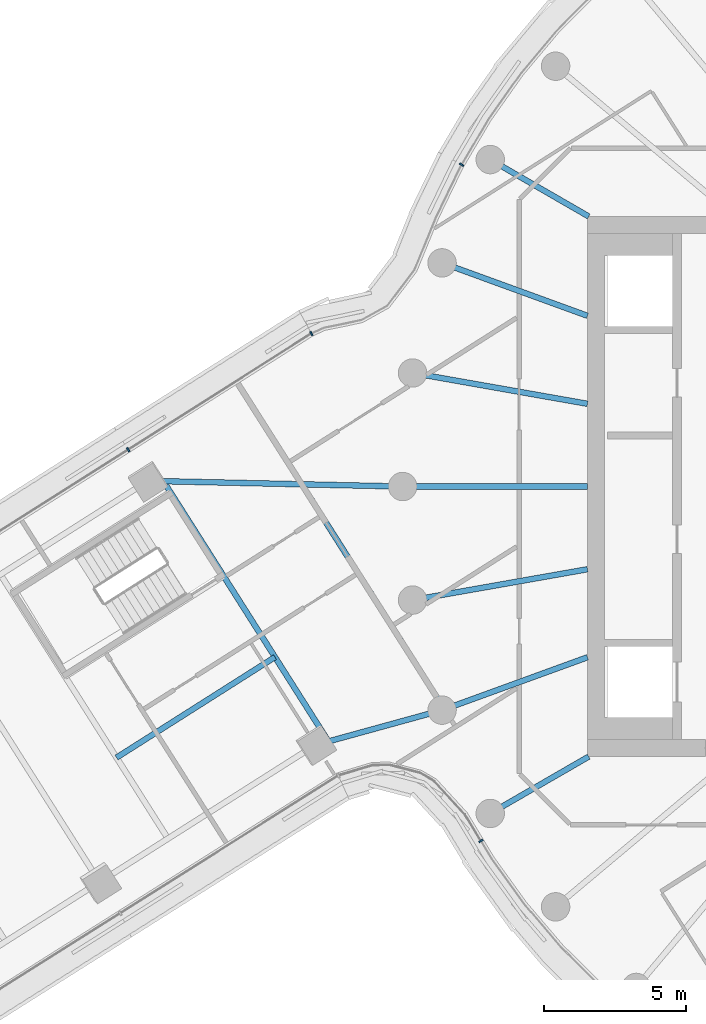
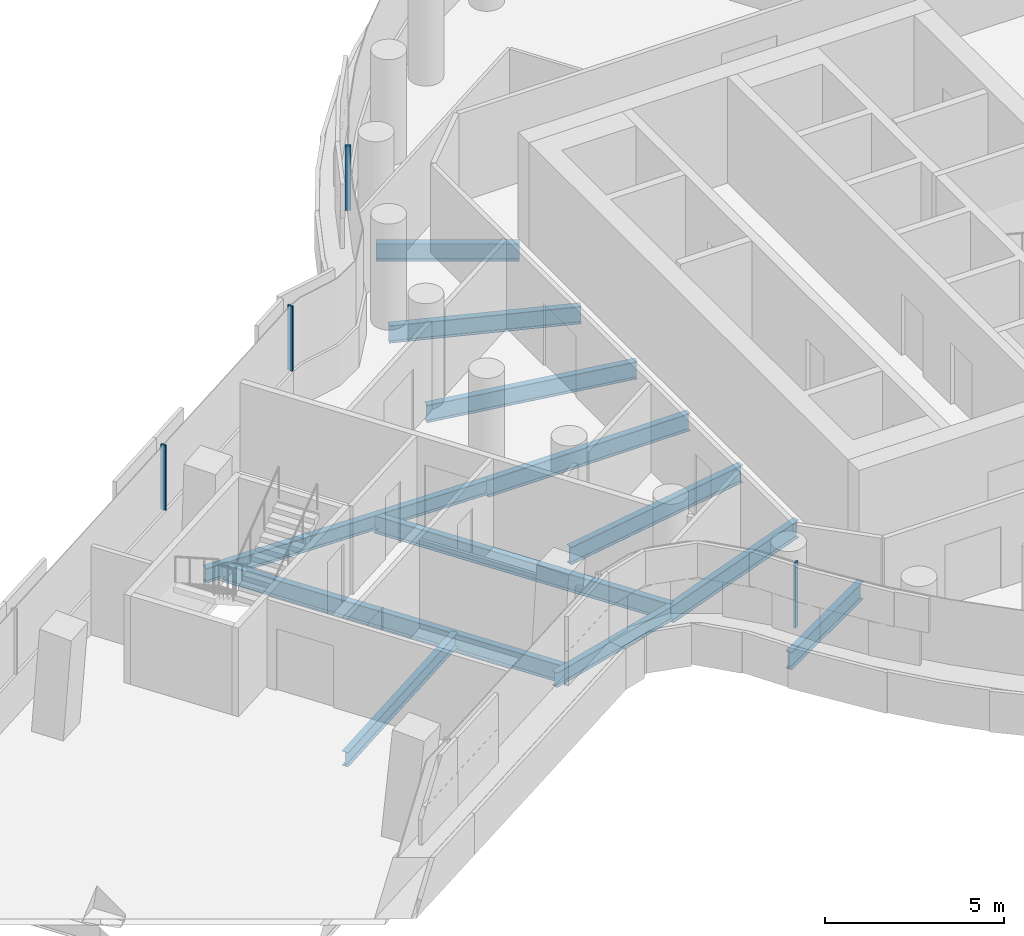
# One storey, part 9 of 36: 12 beams, 4 members, 3 elements without a shape of their own.
"""IFC4 building model written with IfcOpenShell, lengths in metres."""

from ifc_helpers import new_model, si_unit, direction, frame, origin, origin_2d, place, context, subcontext, project, spatial, rectangle, i_section, extrude, material, layer, layer_set, material_profile, profile_set, type_object, element, aggregate, save


model = new_model("IFC4")

# Units and contexts
model_context = context("Model", 3, precision=1e-05, world=origin(), true_north=direction((0.0, 1.0)))
body_context = subcontext(model_context, "Body", "Model", "MODEL_VIEW")
ifc_project = project(units=[si_unit("LENGTHUNIT", "METRE"), si_unit("AREAUNIT", "SQUARE_METRE"), si_unit("VOLUMEUNIT", "CUBIC_METRE"), si_unit("PLANEANGLEUNIT", "RADIAN"), si_unit("MASSUNIT", "GRAM", prefix="KILO")], contexts=[model_context])

# Site, building, storey
site_placement = place(None, origin())
site = spatial("IfcSite", under=ifc_project, at=site_placement, CompositionType="ELEMENT")
building_placement = place(site_placement, origin())
building = spatial("IfcBuilding", under=site, at=building_placement, Name="Tamarind Cross Interchange Tower", CompositionType="ELEMENT")
storey_placement = place(building_placement, frame((0.0, 0.0, 151.75)))
storey = spatial("IfcBuildingStorey", under=building, at=storey_placement, Name="L37", CompositionType="ELEMENT", Elevation=151.75)

# Beams
ifc_material_1 = material(Name="Steel Q355B", Category="steel")
ifc_material_profile_1 = material_profile(ifc_material_1, i_section(OverallWidth=0.198974609375, OverallDepth=0.49609375, WebThickness=0.009033203125, FlangeThickness=0.013916015625, FilletRadius=0.012939453125, at=origin_2d()), Name="HN 496x199x9x14")
ifc_profile_set_1 = profile_set([ifc_material_profile_1], Name="Steel Q355B")
beam_type_1 = type_object("IfcBeamType", Name="Composite beam HN 496x199x9x14 Q355B", PredefinedType="BEAM", material=ifc_profile_set_1)
beam_1_placement = place(storey_placement, frame((-31.954833984375, 0.198486328125, -0.387939453125), z_axis=(0.999754440844, -0.022159828796, 0.0), x_axis=(0.022159828796, 0.999754440844, 0.0)))
element("IfcBeam", 1, at=beam_1_placement, inside=storey, type_object=beam_type_1, Name="Beam W-linkem", PredefinedType="BEAM", context=body_context, shape_type="SweptSolid", body=[
    extrude(i_section(OverallWidth=0.198974609375, OverallDepth=0.49609375, WebThickness=0.009033203125, FlangeThickness=0.013916015625, FilletRadius=0.012939453125, at=origin_2d()), origin(), (0.0, 0.0, 1.0), 8.95703125),
])
beam_2_placement = place(storey_placement, frame((-26.062744140625, -9.09033203125, -0.387939453125), z_axis=(0.964193895448, 0.265198288043, 0.0), x_axis=(-0.265198288043, 0.964193895448, 0.0)))
element("IfcBeam", 2, at=beam_2_placement, inside=storey, type_object=beam_type_1, Name="Beam W-linkep", PredefinedType="BEAM", context=body_context, shape_type="SweptSolid", body=[
    extrude(i_section(OverallWidth=0.198974609375, OverallDepth=0.49609375, WebThickness=0.009033203125, FlangeThickness=0.013916015625, FilletRadius=0.012939453125, at=origin_2d()), origin(), (0.0, 0.0, 1.0), 4.614990234375),
])
beam_3_placement = place(storey_placement, frame((-27.490478515625, -5.999267578125, -0.387939453125), z_axis=(-0.84442981638, -0.535666206895, 0.0), x_axis=(0.535666206895, -0.84442981638, 0.0)))
element("IfcBeam", 3, at=beam_3_placement, inside=storey, type_object=beam_type_1, Name="Beam W-stripp", PredefinedType="BEAM", context=body_context, shape_type="SweptSolid", body=[
    extrude(i_section(OverallWidth=0.198974609375, OverallDepth=0.49609375, WebThickness=0.009033203125, FlangeThickness=0.013916015625, FilletRadius=0.012939453125, at=origin_2d()), origin(), (0.0, 0.0, 1.0), 6.60009765625),
])
ifc_material_profile_2 = material_profile(ifc_material_1, i_section(OverallWidth=0.198974609375, OverallDepth=0.595947265625, WebThickness=0.010009765625, FlangeThickness=0.014892578125, FilletRadius=0.012939453125, at=origin_2d()), Name="HN 596x199x10x15")
ifc_profile_set_2 = profile_set([ifc_material_profile_2], Name="Steel Q355B")
beam_type_2 = type_object("IfcBeamType", Name="Composite beam HN 596x199x10x15 Q355B", PredefinedType="BEAM", material=ifc_profile_set_2)
beam_4_placement = place(storey_placement, frame((-19.918701171875, 11.5, -0.43798828125), z_axis=(0.866026010844, -0.49999894854, 0.0), x_axis=(0.49999894854, 0.866026010844, 0.0)))
element("IfcBeam", 4, at=beam_4_placement, inside=storey, type_object=beam_type_2, Name="Beam HH15", PredefinedType="BEAM", context=body_context, shape_type="SweptSolid", body=[
    extrude(i_section(OverallWidth=0.198974609375, OverallDepth=0.595947265625, WebThickness=0.010009765625, FlangeThickness=0.014892578125, FilletRadius=0.012939453125, at=origin_2d()), origin(), (0.0, 0.0, 1.0), 4.0),
])
beam_5_placement = place(storey_placement, frame((-21.613037109375, 7.866455078125, -0.43798828125), z_axis=(0.939701685589, -0.341995236956, 0.0), x_axis=(0.341995236956, 0.939701685589, 0.0)))
element("IfcBeam", 5, at=beam_5_placement, inside=storey, type_object=beam_type_2, Name="Beam HH16", PredefinedType="BEAM", context=body_context, shape_type="SweptSolid", body=[
    extrude(i_section(OverallWidth=0.198974609375, OverallDepth=0.595947265625, WebThickness=0.010009765625, FlangeThickness=0.014892578125, FilletRadius=0.012939453125, at=origin_2d()), origin(), (0.0, 0.0, 1.0), 5.441162109375),
])
beam_6_placement = place(storey_placement, frame((-22.650634765625, 3.993896484375, -0.43798828125), z_axis=(0.984809127561, -0.173640382036, 0.0), x_axis=(0.173640382036, 0.984809127561, 0.0)))
element("IfcBeam", 6, at=beam_6_placement, inside=storey, type_object=beam_type_2, Name="Beam HH17", PredefinedType="BEAM", context=body_context, shape_type="SweptSolid", body=[
    extrude(i_section(OverallWidth=0.198974609375, OverallDepth=0.595947265625, WebThickness=0.010009765625, FlangeThickness=0.014892578125, FilletRadius=0.012939453125, at=origin_2d()), origin(), (0.0, 0.0, 1.0), 6.24560546875),
])
beam_7_placement = place(storey_placement, frame((-23.0, 0.0, -0.43798828125), z_axis=(1.0, 0.0, 0.0), x_axis=(0.0, 1.0, 0.0)))
element("IfcBeam", 7, at=beam_7_placement, inside=storey, type_object=beam_type_2, Name="Beam HH18", PredefinedType="BEAM", context=body_context, shape_type="SweptSolid", body=[
    extrude(i_section(OverallWidth=0.198974609375, OverallDepth=0.595947265625, WebThickness=0.010009765625, FlangeThickness=0.014892578125, FilletRadius=0.012939453125, at=origin_2d()), origin(), (0.0, 0.0, 1.0), 6.5),
])
beam_8_placement = place(storey_placement, frame((-22.650634765625, -3.993896484375, -0.43798828125), z_axis=(0.984809127561, 0.173640382036, 0.0), x_axis=(-0.173640382036, 0.984809127561, 0.0)))
element("IfcBeam", 8, at=beam_8_placement, inside=storey, type_object=beam_type_2, Name="Beam HH19", PredefinedType="BEAM", context=body_context, shape_type="SweptSolid", body=[
    extrude(i_section(OverallWidth=0.198974609375, OverallDepth=0.595947265625, WebThickness=0.010009765625, FlangeThickness=0.014892578125, FilletRadius=0.012939453125, at=origin_2d()), origin(), (0.0, 0.0, 1.0), 6.24560546875),
])
beam_9_placement = place(storey_placement, frame((-21.613037109375, -7.866455078125, -0.43798828125), z_axis=(0.939701685589, 0.341995236956, 0.0), x_axis=(-0.341995236956, 0.939701685589, 0.0)))
element("IfcBeam", 9, at=beam_9_placement, inside=storey, type_object=beam_type_2, Name="Beam HH20", PredefinedType="BEAM", context=body_context, shape_type="SweptSolid", body=[
    extrude(i_section(OverallWidth=0.198974609375, OverallDepth=0.595947265625, WebThickness=0.010009765625, FlangeThickness=0.014892578125, FilletRadius=0.012939453125, at=origin_2d()), origin(), (0.0, 0.0, 1.0), 5.441162109375),
])
beam_10_placement = place(storey_placement, frame((-19.918701171875, -11.5, -0.43798828125), z_axis=(0.866026010844, 0.49999894854, 0.0), x_axis=(-0.49999894854, 0.866026010844, 0.0)))
element("IfcBeam", 10, at=beam_10_placement, inside=storey, type_object=beam_type_2, Name="Beam HH21", PredefinedType="BEAM", context=body_context, shape_type="SweptSolid", body=[
    extrude(i_section(OverallWidth=0.198974609375, OverallDepth=0.595947265625, WebThickness=0.010009765625, FlangeThickness=0.014892578125, FilletRadius=0.012939453125, at=origin_2d()), origin(), (0.0, 0.0, 1.0), 4.0),
])
ifc_material_profile_3 = material_profile(ifc_material_1, i_section(OverallWidth=0.199951171875, OverallDepth=0.60009765625, WebThickness=0.010986328125, FlangeThickness=0.01708984375, FilletRadius=0.012939453125, at=origin_2d()), Name="HN 600x200x11x17")
ifc_profile_set_3 = profile_set([ifc_material_profile_3], Name="Steel Q355B")
beam_type_3 = type_object("IfcBeamType", Name="Composite beam HN 600x200x11x17 Q355B", PredefinedType="BEAM", material=ifc_profile_set_3)
beam_11_placement = place(storey_placement, frame((-31.41455078125, 0.1865234375, -0.43994140625), z_axis=(0.535666624145, -0.844429551696, 0.0), x_axis=(0.844429551696, 0.535666624145, 0.0)))
element("IfcBeam", 11, at=beam_11_placement, inside=storey, type_object=beam_type_3, Name="Beam W-x298", PredefinedType="BEAM", context=body_context, shape_type="SweptSolid", body=[
    extrude(i_section(OverallWidth=0.199951171875, OverallDepth=0.60009765625, WebThickness=0.010986328125, FlangeThickness=0.01708984375, FilletRadius=0.012939453125, at=origin_2d()), origin(), (0.0, 0.0, 1.0), 10.838134765625),
])
beam_12_placement = place(storey_placement, frame((-26.550048828125, 0.07861328125, -0.43994140625), z_axis=(0.535674141401, -0.844424783053, 0.0), x_axis=(0.844424783053, 0.535674141401, 0.0)))
element("IfcBeam", 12, at=beam_12_placement, inside=storey, type_object=beam_type_3, Name="Beam W-x258", PredefinedType="BEAM", context=body_context, shape_type="SweptSolid", body=[
    extrude(i_section(OverallWidth=0.199951171875, OverallDepth=0.60009765625, WebThickness=0.010986328125, FlangeThickness=0.01708984375, FilletRadius=0.012939453125, at=origin_2d()), origin(), (0.0, 0.0, 1.0), 9.353515625),
])

# Curtain wall, member
ifc_material_2 = material(Name="Aluminium 6063-T6", Category="aluminium")
ifc_layer = layer(ifc_material_2, 0.159912109375)
ifc_layer_set = layer_set([ifc_layer], Name="Aluminium 6063-T6")
curtain_wall_type = type_object("IfcCurtainWallType", Name="Office curtain wall, 9.0 m bays", PredefinedType="NOTDEFINED", material=ifc_layer_set)
curtain_wall_1_placement = place(storey_placement, origin())
curtain_wall_1 = element("IfcCurtainWall", 13, at=curtain_wall_1_placement, inside=storey, type_object=curtain_wall_type, Name="CWS-L37-02", PredefinedType="NOTDEFINED")
ifc_material_profile_4 = material_profile(ifc_material_2, rectangle(XDim=0.06005859375, YDim=0.159912109375, at=origin_2d()), Name="Mullion CW1")
ifc_profile_set_4 = profile_set([ifc_material_profile_4], Name="Aluminium 6063-T6")
member_type = type_object("IfcMemberType", Name="Mullion CW1", PredefinedType="MULLION", material=ifc_profile_set_4)
member_1_placement = place(storey_placement, frame((-20.927001953125, 11.31884765625, 1.39990234375), z_axis=(0.0, 0.0, 1.0), x_axis=(-0.508183308752, -0.861248933065, 0.0)))
member_1 = element("IfcMember", 14, at=member_1_placement, type_object=member_type, Name="CWM-L37-02-02", PredefinedType="MULLION", context=body_context, shape_type="SweptSolid", body=[
    extrude(rectangle(XDim=0.06005859375, YDim=0.159912109375, at=origin_2d()), origin(), (0.0, 0.0, 1.0), 2.210205078125),
])
aggregate(curtain_wall_1, [member_1])

# Curtain wall, members
curtain_wall_2_placement = place(storey_placement, origin())
curtain_wall_2 = element("IfcCurtainWall", 15, at=curtain_wall_2_placement, inside=storey, type_object=curtain_wall_type, Name="CWS-L37-03", PredefinedType="NOTDEFINED")
member_2_placement = place(storey_placement, frame((-26.20947265625, 5.382568359375, 1.39990234375), z_axis=(0.0, 0.0, 1.0), x_axis=(-0.877658609877, -0.479286307451, 0.0)))
member_2 = element("IfcMember", 16, at=member_2_placement, type_object=member_type, Name="CWM-L37-03-00", PredefinedType="MULLION", context=body_context, shape_type="SweptSolid", body=[
    extrude(rectangle(XDim=0.06005859375, YDim=0.159912109375, at=origin_2d()), origin(), (0.0, 0.0, 1.0), 2.210205078125),
])
member_3_placement = place(storey_placement, frame((-32.652099609375, 1.295654296875, 1.39990234375), z_axis=(0.0, 0.0, 1.0), x_axis=(-0.844432651118, -0.535661738157, 0.0)))
member_3 = element("IfcMember", 17, at=member_3_placement, type_object=member_type, Name="CWM-L37-03-01", PredefinedType="MULLION", context=body_context, shape_type="SweptSolid", body=[
    extrude(rectangle(XDim=0.06005859375, YDim=0.159912109375, at=origin_2d()), origin(), (0.0, 0.0, 1.0), 2.210205078125),
])
aggregate(curtain_wall_2, [member_2, member_3])

# Curtain wall, member
curtain_wall_3_placement = place(storey_placement, origin())
curtain_wall_3 = element("IfcCurtainWall", 18, at=curtain_wall_3_placement, inside=storey, type_object=curtain_wall_type, Name="CWS-L37-06", PredefinedType="NOTDEFINED")
member_4_placement = place(storey_placement, frame((-20.24658203125, -12.466796875, 1.39990234375), z_axis=(0.0, 0.0, 1.0), x_axis=(0.515900752568, -0.856648360472, 0.0)))
member_4 = element("IfcMember", 19, at=member_4_placement, type_object=member_type, Name="CWM-L37-06-01", PredefinedType="MULLION", context=body_context, shape_type="SweptSolid", body=[
    extrude(rectangle(XDim=0.06005859375, YDim=0.159912109375, at=origin_2d()), origin(), (0.0, 0.0, 1.0), 2.210205078125),
])
aggregate(curtain_wall_3, [member_4])

save(model, "model.ifc")
